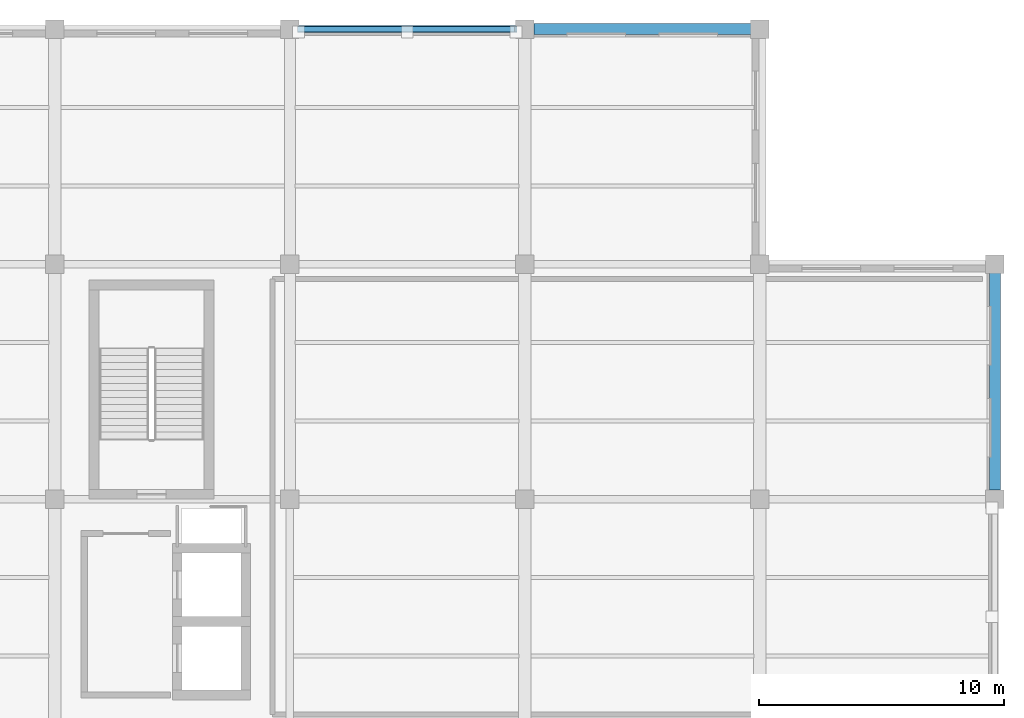
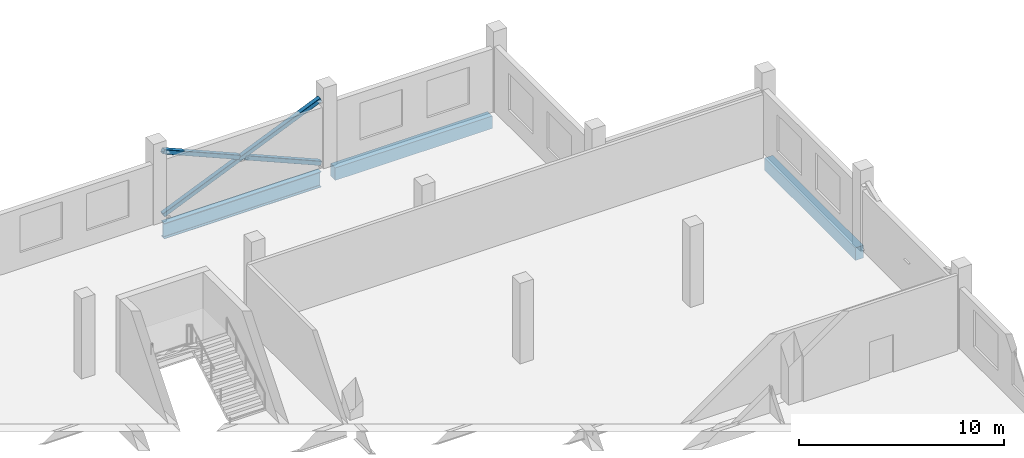
# One storey, part 48 of 99: 3 beams, 3 members.
"""IFC4 building model written with IfcOpenShell, lengths in metres."""

from ifc_helpers import new_model, si_unit, direction, frame, origin, origin_2d, place, context, subcontext, project, spatial, rectangle, hollow_rectangle, i_section, extrude, material, material_profile, profile_set, type_object, element, save


model = new_model("IFC4")

# Units and contexts
model_context = context("Model", 3, precision=1e-05, world=origin(), true_north=direction((0.0, 1.0)))
body_context = subcontext(model_context, "Body", "Model", "MODEL_VIEW")
ifc_project = project(units=[si_unit("LENGTHUNIT", "METRE"), si_unit("AREAUNIT", "SQUARE_METRE"), si_unit("VOLUMEUNIT", "CUBIC_METRE"), si_unit("PLANEANGLEUNIT", "RADIAN"), si_unit("MASSUNIT", "GRAM", prefix="KILO")], contexts=[model_context])

# Site, building, storey
site_placement = place(None, origin())
site = spatial("IfcSite", under=ifc_project, at=site_placement, CompositionType="ELEMENT")
building_placement = place(site_placement, origin())
building = spatial("IfcBuilding", under=site, at=building_placement, Name="Caelomonte Colonnade Arena", CompositionType="ELEMENT")
storey_placement = place(building_placement, frame((0.0, 0.0, 4.800048828125)))
storey = spatial("IfcBuildingStorey", under=building, at=storey_placement, Name="L01", CompositionType="ELEMENT", Elevation=4.800048828125)

# Members
ifc_material_1 = material(Name="Steel ASTM A500 Grade C", Category="steel")
ifc_material_profile_1 = material_profile(ifc_material_1, hollow_rectangle(XDim=0.25390625, YDim=0.25390625, WallThickness=0.009521484375, InnerFilletRadius=0.009521484375, OuterFilletRadius=0.01904296875, at=origin_2d()), Name="HSS254X254X9.5")
ifc_profile_set_1 = profile_set([ifc_material_profile_1], Name="Steel ASTM A500 Grade C")
member_type = type_object("IfcMemberType", Name="STR-BF-DIAG2", PredefinedType="BRACE", material=ifc_profile_set_1)
member_placement = place(storey_placement, frame((163.563720703125, 144.0, 0.16162109375), z_axis=(0.91936602126, 0.0, 0.393403252342), x_axis=(0.0, 1.0, 0.0)))
element("IfcMember", 1, at=member_placement, inside=storey, type_object=member_type, Name="Braced frame BF3 L01 continuous diagonal A", PredefinedType="BRACE", context=body_context, shape_type="SweptSolid", body=[
    extrude(hollow_rectangle(XDim=0.25390625, YDim=0.25390625, WallThickness=0.009521484375, InnerFilletRadius=0.009521484375, OuterFilletRadius=0.01904296875, at=origin_2d()), origin(), (0.0, 0.0, 1.0), 9.650634765625),
])
for number, where, z_axis, x_axis, name in (
    (2, (172.436279296875, 144.0, 0.16162109375), (-0.919367033024, 0.0, 0.393400887885), (0.0, -1.0, 0.0), "Braced frame BF3 L01 split diagonal B1"),
    (3, (167.84912109375, 144.0, 2.12451171875), (-0.919367033024, 0.0, 0.393400887885), (0.0, -1.0, 0.0), "Braced frame BF3 L01 split diagonal B2"),
):
    element("IfcMember", number, at=place(storey_placement, frame(where, z_axis=z_axis, x_axis=x_axis)), inside=storey, type_object=member_type, Name=name, PredefinedType="BRACE", context=body_context, shape_type="SweptSolid", body=[
        extrude(hollow_rectangle(XDim=0.25390625, YDim=0.25390625, WallThickness=0.009521484375, InnerFilletRadius=0.009521484375, OuterFilletRadius=0.01904296875, at=origin_2d()), origin(), (0.0, 0.0, 1.0), 4.6611328125),
    ])

# Beams
ifc_material_2 = material(Name="Wide-flange steel ASTM A992 Grade 50", Category="steel")
ifc_material_profile_2 = material_profile(ifc_material_2, i_section(OverallWidth=0.307861328125, OverallDepth=0.927001953125, WebThickness=0.019287109375, FlangeThickness=0.031982421875, FilletRadius=0.020263671875, at=origin_2d()), Name="W36X194")
ifc_profile_set_2 = profile_set([ifc_material_profile_2], Name="Wide-flange steel ASTM A992 Grade 50")
beam_type_1 = type_object("IfcBeamType", Name="STR-BM-EAVES2", PredefinedType="SPANDREL", material=ifc_profile_set_2)
beam_placement = place(storey_placement, frame((163.56689453125, 144.0, -0.763427734375), z_axis=(1.0, 0.0, 0.0), x_axis=(0.0, 1.0, 0.0)))
element("IfcBeam", 4, at=beam_placement, inside=storey, type_object=beam_type_1, Name="L01 girder BMX-L01-1632-1440", PredefinedType="SPANDREL", context=body_context, shape_type="SweptSolid", body=[
    extrude(i_section(OverallWidth=0.307861328125, OverallDepth=0.927001953125, WebThickness=0.019287109375, FlangeThickness=0.031982421875, FilletRadius=0.020263671875, at=origin_2d()), origin(), (0.0, 0.0, 1.0), 8.8662109375),
])
ifc_material_3 = material(Name="Concrete C40/50", Category="concrete")
ifc_material_profile_3 = material_profile(ifc_material_3, rectangle(XDim=0.449951171875, YDim=0.75, at=origin_2d()), Name="RC450X750")
ifc_profile_set_3 = profile_set([ifc_material_profile_3], Name="Concrete C40/50")
beam_type_2 = type_object("IfcBeamType", Name="STR-BM-SPAN24", PredefinedType="SPANDREL", material=ifc_profile_set_3)
for number, where, z_axis, x_axis, name in (
    (5, (173.1669921875, 144.0, -0.675048828125), (1.0, 0.0, 0.0), (0.0, 1.0, 0.0), "L01 girder BMX-L01-1728-1440"),
    (6, (192.0, 125.1669921875, -0.675048828125), (0.0, 1.0, 0.0), (-1.0, 0.0, 0.0), "L01 girder BMY-L01-1920-1248"),
):
    element("IfcBeam", number, at=place(storey_placement, frame(where, z_axis=z_axis, x_axis=x_axis)), inside=storey, type_object=beam_type_2, Name=name, PredefinedType="SPANDREL", context=body_context, shape_type="SweptSolid", body=[
        extrude(rectangle(XDim=0.449951171875, YDim=0.75, at=origin_2d()), origin(), (0.0, 0.0, 1.0), 8.865966796875),
    ])

save(model, "model.ifc")
